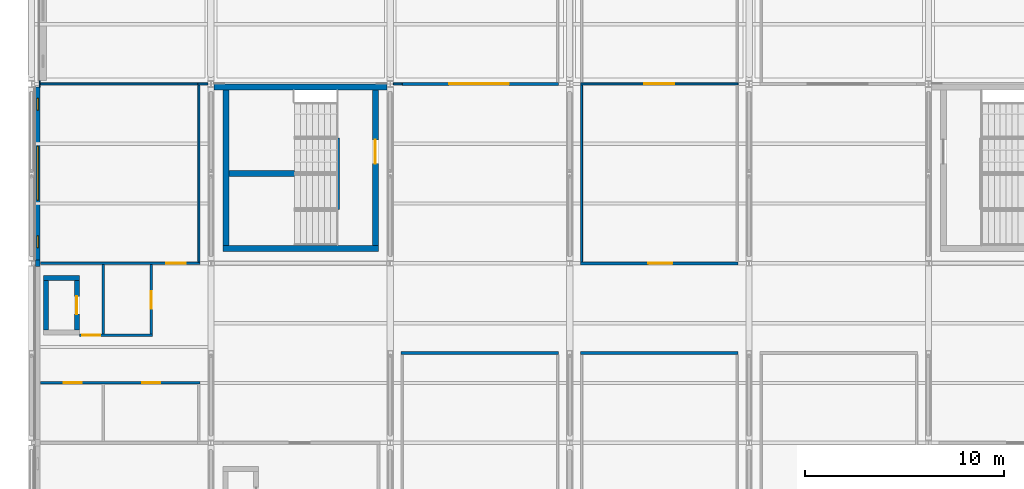
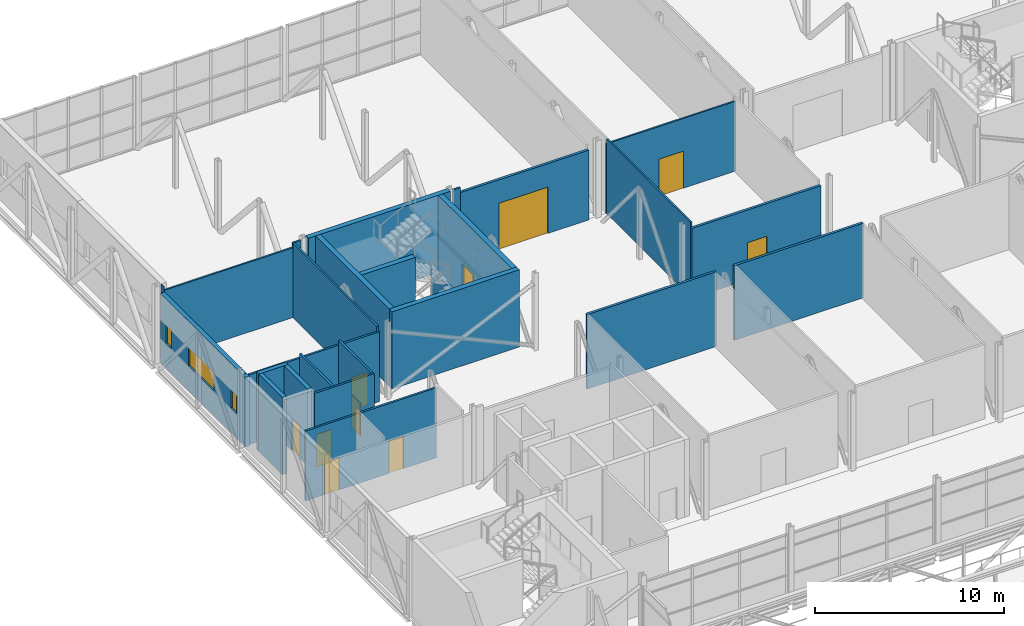
# One storey, part 79 of 94: 27 walls, 10 doors, 3 windows, 13 openings.
"""IFC4 building model written with IfcOpenShell, lengths in metres."""

import ifcopenshell
import ifcopenshell.guid

model = None  # the IFC model being written
_history = None  # IfcOwnerHistory: only IFC2X3 demands one
_inside = {}  # id of a spatial element -> (the spatial element, [elements in it])
_under = {}  # id of a project, library or spatial element -> (it, [spatial elements below it])
_declared = {}  # id of a project -> (the project, [libraries it declares])
_typed = {}  # id of a type object -> (the type object, [elements of that type])
_made_of = {}  # id of a material, layer set ... -> (it, [elements and type objects made of it])


def new_model(schema):
    """Start an empty IFC model of exactly this schema.

    Asked for "IFC4X3", IfcOpenShell would pick the latest addendum, in which some entities
    have other attributes; the version numbers below select the first issue.
    IFC2X3 requires an IfcOwnerHistory on every rooted entity: one is made here for all.
    """
    global model, _history
    if schema == "IFC4X3":
        model = ifcopenshell.file(schema_version=(4, 3, 0, 0))
    else:
        model = ifcopenshell.file(schema=schema)
    _inside.clear()
    _under.clear()
    _declared.clear()
    _typed.clear()
    _made_of.clear()
    _history = None
    if model.schema == "IFC2X3":
        org = make("IfcOrganization", Name="unknown")
        user = make(
            "IfcPersonAndOrganization",
            ThePerson=make("IfcPerson", FamilyName="unknown"),
            TheOrganization=org,
        )
        app = make(
            "IfcApplication",
            ApplicationDeveloper=org,
            Version="unknown",
            ApplicationFullName="unknown",
            ApplicationIdentifier="unknown",
        )
        _history = make(
            "IfcOwnerHistory",
            OwningUser=user,
            OwningApplication=app,
            ChangeAction="ADDED",
            CreationDate=0,
        )
    return model


def make(cls, **values):
    """One entity of the class cls with the attributes given. An attribute that is None is left unset."""
    return model.create_entity(
        cls, **{name: value for name, value in values.items() if value is not None}
    )


def rooted(cls, **values):
    """An entity with a GlobalId (a new one), such as an element, a storey or a relation."""
    return make(cls, GlobalId=ifcopenshell.guid.new(), OwnerHistory=_history, **values)


def si_unit(unit_type, name, prefix=None):
    """IfcSIUnit, for example si_unit("LENGTHUNIT", "METRE", prefix="MILLI")."""
    return make("IfcSIUnit", UnitType=unit_type, Prefix=prefix, Name=name)


def assignment(units):
    """IfcUnitAssignment: the units of a project."""
    return None if units is None else make("IfcUnitAssignment", Units=units)


def point(xyz):
    """IfcCartesianPoint."""
    return None if xyz is None else make("IfcCartesianPoint", Coordinates=xyz)


def direction(xyz):
    """IfcDirection."""
    return None if xyz is None else make("IfcDirection", DirectionRatios=xyz)


def frame(location, z_axis=None, x_axis=None):
    """IfcAxis2Placement3D, a coordinate frame: its origin and axes. An axis left out is left unset."""
    return make(
        "IfcAxis2Placement3D",
        Location=point(location),
        Axis=direction(z_axis),
        RefDirection=direction(x_axis),
    )


def frame_2d(location, x_axis=None):
    """IfcAxis2Placement2D, a coordinate frame in the plane: its origin and x axis."""
    return make(
        "IfcAxis2Placement2D", Location=point(location), RefDirection=direction(x_axis)
    )


def origin():
    """The frame at (0, 0, 0) with its axes left unset."""
    return frame((0.0, 0.0, 0.0))


def place(relative_to, where):
    """IfcLocalPlacement: puts the frame where relative to a parent placement (None: the world)."""
    return make(
        "IfcLocalPlacement", PlacementRelTo=relative_to, RelativePlacement=where
    )


def context(
    kind, dimensions, precision=None, world=None, true_north=None, identifier=None
):
    """IfcGeometricRepresentationContext, for example the 3D "Model" context."""
    return make(
        "IfcGeometricRepresentationContext",
        ContextIdentifier=identifier,
        ContextType=kind,
        CoordinateSpaceDimension=dimensions,
        Precision=precision,
        WorldCoordinateSystem=world,
        TrueNorth=true_north,
    )


def subcontext(parent, identifier, kind, view, scale=None):
    """IfcGeometricRepresentationSubContext, for example "Body" below "Model"."""
    return make(
        "IfcGeometricRepresentationSubContext",
        ContextIdentifier=identifier,
        ContextType=kind,
        ParentContext=parent,
        TargetScale=scale,
        TargetView=view,
    )


def project(units=None, contexts=None):
    """IfcProject with its units and contexts."""
    return rooted(
        "IfcProject",
        Name="project",
        RepresentationContexts=contexts,
        UnitsInContext=assignment(units),
    )


def spatial(cls, under=None, at=None, **own):
    """A site, building, storey or space (cls), placed at a placement, below another one or the project."""
    s = rooted(cls, ObjectPlacement=at, **own)
    if under is not None:
        _under.setdefault(under.id(), (under, []))[1].append(s)
    return s


def profile(cls, at=None, kind="AREA", **sizes):
    """A parametric profile (cls). Its sizes go by their IFC names, for example OverallWidth=200.0."""
    return make(cls, ProfileType=kind, Position=at, **sizes)


def rectangle(**sizes):
    """IfcRectangleProfileDef."""
    return profile("IfcRectangleProfileDef", **sizes)


def extrude(swept, where, along, depth):
    """IfcExtrudedAreaSolid: the profile swept, set in the frame where, extruded along a direction by depth."""
    return make(
        "IfcExtrudedAreaSolid",
        SweptArea=swept,
        Position=where,
        ExtrudedDirection=direction(along),
        Depth=depth,
    )


def shape(context_of_items, identifier, shape_type, items):
    """IfcShapeRepresentation: the items that make up one representation, for example the "Body"."""
    return make(
        "IfcShapeRepresentation",
        ContextOfItems=context_of_items,
        RepresentationIdentifier=identifier,
        RepresentationType=shape_type,
        Items=items,
    )


def material(Name=None, Category=None):
    """IfcMaterial."""
    return make("IfcMaterial", Name=Name, Category=Category)


def layer(
    of_material, thickness, ventilated=None, Name=None, Category=None, Priority=None
):
    """IfcMaterialLayer: one layer of a wall or slab, of a material (None: an air gap)."""
    return make(
        "IfcMaterialLayer",
        Material=of_material,
        LayerThickness=thickness,
        IsVentilated=ventilated,
        Name=Name,
        Category=Category,
        Priority=Priority,
    )


def layer_set(layers, Name=None):
    """IfcMaterialLayerSet."""
    return make("IfcMaterialLayerSet", MaterialLayers=layers, LayerSetName=Name)


def made_of(thing, what):
    """Note that an element or type object is made of a material, layer set ...; save() writes the relation."""
    if what is not None:
        _made_of.setdefault(what.id(), (what, []))[1].append(thing)
    return thing


def type_object(cls, material=None, **own):
    """A type object (cls), such as IfcWallType, which elements share."""
    return made_of(rooted(cls, **own), material)


def element(
    cls,
    number,
    at=None,
    inside=None,
    cuts=None,
    type_object=None,
    material=None,
    context=None,
    identifier="Body",
    shape_type=None,
    held_by="IfcProductDefinitionShape",
    body=None,
    shapes=None,
    **own,
):
    """One element of the class cls, such as IfcWall. Its Tag is "e" and its number.

    at: its placement. inside: the storey or other place that contains it. cuts: it is an
    opening in that element (IfcRelVoidsElement). A single representation is given by context,
    identifier, shape_type and body (its items); several are given by shapes. held_by: the class
    of the entity that holds the representations. save() writes the other relations.
    """
    e = rooted(cls, Tag="e%d" % number, ObjectPlacement=at, **own)
    if body is not None:
        shapes = [shape(context, identifier, shape_type, body)]
    if shapes is not None:
        e.Representation = make(held_by, Representations=shapes)
    if inside is not None:
        _inside.setdefault(inside.id(), (inside, []))[1].append(e)
    if cuts is not None:
        rooted(
            "IfcRelVoidsElement", RelatingBuildingElement=cuts, RelatedOpeningElement=e
        )
    if type_object is not None:
        _typed.setdefault(type_object.id(), (type_object, []))[1].append(e)
    return made_of(e, material)


def fill(opening, filler):
    """IfcRelFillsElement: the door or window that sits in an opening."""
    return rooted(
        "IfcRelFillsElement",
        RelatingOpeningElement=opening,
        RelatedBuildingElement=filler,
    )


def aggregate(whole, parts):
    """IfcRelAggregates: a whole, such as a stair, and the parts it consists of."""
    return rooted("IfcRelAggregates", RelatingObject=whole, RelatedObjects=parts)


def save(model, path):
    """Write the relations noted so far, then the file.

    IfcRelAggregates (storeys below a building ...), IfcRelContainedInSpatialStructure (elements
    in a storey), IfcRelDefinesByType, IfcRelAssociatesMaterial and IfcRelDeclares: one each for
    every whole, place, type object, material and project.
    """
    for whole, parts in _under.values():
        aggregate(whole, parts)
    for where, things in _inside.values():
        rooted(
            "IfcRelContainedInSpatialStructure",
            RelatedElements=things,
            RelatingStructure=where,
        )
    for kind, things in _typed.values():
        rooted("IfcRelDefinesByType", RelatedObjects=things, RelatingType=kind)
    for what, things in _made_of.values():
        rooted("IfcRelAssociatesMaterial", RelatedObjects=things, RelatingMaterial=what)
    for by, libraries in _declared.values():
        rooted("IfcRelDeclares", RelatingContext=by, RelatedDefinitions=libraries)
    model.write(path)


model = new_model("IFC4")

# Units and contexts
model_context = context("Model", 3, precision=1e-05, world=origin(), true_north=direction((0.0, 1.0)))
body_context = subcontext(model_context, "Body", "Model", "MODEL_VIEW")
ifc_project = project(units=[si_unit("LENGTHUNIT", "METRE"), si_unit("AREAUNIT", "SQUARE_METRE"), si_unit("VOLUMEUNIT", "CUBIC_METRE"), si_unit("PLANEANGLEUNIT", "RADIAN"), si_unit("MASSUNIT", "GRAM", prefix="KILO")], contexts=[model_context])

# Site, building, storey
site_placement = place(None, origin())
site = spatial("IfcSite", under=ifc_project, at=site_placement, CompositionType="ELEMENT")
building_placement = place(site_placement, origin())
building = spatial("IfcBuilding", under=site, at=building_placement, Name="Shorebreak Coast Museum", CompositionType="ELEMENT")
storey_placement = place(building_placement, frame((0.0, 0.0, 31.0)))
storey = spatial("IfcBuildingStorey", under=building, at=storey_placement, Name="L05", CompositionType="ELEMENT", Elevation=31.0)

# Walls
ifc_material_1 = material(Name="Concrete N50 (50 MPa)", Category="concrete")
ifc_layer_1 = layer(ifc_material_1, 0.25)
ifc_layer_set_1 = layer_set([ifc_layer_1], Name="Concrete N50 (50 MPa)")
wall_type_1 = type_object("IfcWallType", Name="Column closure panel 250", PredefinedType="SOLIDWALL", material=ifc_layer_set_1)
wall_1_placement = place(storey_placement, frame((54.315185546875, 107.839111328125, 0.0), z_axis=(0.0, 0.0, 1.0), x_axis=(0.0, 1.0, 0.0)))
element("IfcWall", 1, at=wall_1_placement, inside=storey, type_object=wall_type_1, Name="Column closure panel L05 W 7N", PredefinedType="SOLIDWALL", context=body_context, shape_type="SweptSolid", body=[
    extrude(rectangle(XDim=0.32177734375, YDim=0.25, at=frame_2d((0.160888671875, 0.0))), origin(), (0.0, 0.0, 1.0), 4.50439453125),
])
ifc_material_2 = material(Name="Concrete N50 (50 MPa)", Category="concrete")
ifc_layer_2 = layer(ifc_material_2, 0.040283203125)
ifc_layer_set_2 = layer_set([ifc_layer_2], Name="Concrete N50 (50 MPa)")
wall_type_2 = type_object("IfcWallType", Name="Column closure panel 40", PredefinedType="SOLIDWALL", material=ifc_layer_set_2)
wall_2_placement = place(storey_placement, frame((54.420166015625, 116.83642578125, 0.0), z_axis=(0.0, 0.0, 1.0), x_axis=(0.0, 1.0, 0.0)))
element("IfcWall", 2, at=wall_2_placement, inside=storey, type_object=wall_type_2, Name="Column closure panel L05 W 7P", PredefinedType="SOLIDWALL", context=body_context, shape_type="SweptSolid", body=[
    extrude(rectangle(XDim=0.3271484375, YDim=0.040283203125, at=frame_2d((0.16357421875, 0.0))), origin(), (0.0, 0.0, 1.0), 4.824951171875),
])
ifc_material_3 = material(Name="Plasterboard on steel stud", Category="steel")
ifc_layer_3 = layer(ifc_material_3, 0.14990234375)
ifc_layer_set_3 = layer_set([ifc_layer_3], Name="Plasterboard on steel stud")
wall_type_3 = type_object("IfcWallType", Name="Fire partition 150", PredefinedType="PARTITIONING", material=ifc_layer_set_3)
for number, where, z_axis, x_axis, name in (
    (3, (72.550048828125, 103.5, 0.0), (0.0, 0.0, 1.0), (1.0, 0.0, 0.0), "Partition L05-026"),
    (4, (81.550048828125, 103.5, 0.0), (0.0, 0.0, 1.0), (1.0, 0.0, 0.0), "Partition L05-027"),
):
    element("IfcWall", number, at=place(storey_placement, frame(where, z_axis=z_axis, x_axis=x_axis)), inside=storey, type_object=wall_type_3, Name=name, PredefinedType="PARTITIONING", context=body_context, shape_type="SweptSolid", body=[
        extrude(rectangle(XDim=7.89990234375, YDim=0.14990234375, at=frame_2d((3.949951171875, 0.0))), origin(), (0.0, 0.0, 1.0), 4.824951171875),
    ])

# Wall, opening, door
wall_3_placement = place(storey_placement, frame((81.550048828125, 108.0, 0.0), z_axis=(0.0, 0.0, 1.0), x_axis=(1.0, 0.0, 0.0)))
wall_3 = element("IfcWall", 5, at=wall_3_placement, inside=storey, type_object=wall_type_3, Name="Partition L05-032", PredefinedType="PARTITIONING", context=body_context, shape_type="SweptSolid", body=[
    extrude(rectangle(XDim=7.89990234375, YDim=0.14990234375, at=frame_2d((3.949951171875, 0.0))), origin(), (0.0, 0.0, 1.0), 4.517822265625),
])
opening_1_placement = place(wall_3_placement, frame((3.39990234375, 0.0, 0.0)))
opening_1 = element("IfcOpeningElement", 6, at=opening_1_placement, cuts=wall_3, Name="Opening D5023", PredefinedType="OPENING", context=body_context, shape_type="SweptSolid", body=[
    extrude(rectangle(XDim=1.199951171875, YDim=2.39990234375, at=frame_2d((0.60009765625, 1.199951171875))), frame((0.0, 0.0849609375, 0.0), z_axis=(0.0, -1.0, 0.0), x_axis=(1.0, 0.0, 0.0)), (0.0, 0.0, 1.0), 0.169921875),
])
ifc_material_4 = material(Name="Steel", Category="steel")
door_type_1 = type_object("IfcDoorType", Name="Fire door 1200x2400 60", OperationType="SINGLE_SWING_LEFT", PredefinedType="DOOR", material=ifc_material_4)
door_1_placement = place(opening_1_placement, origin())
door_1 = element("IfcDoor", 7, at=door_1_placement, inside=storey, type_object=door_type_1, Name="Door D5023 Photography Gallery 5.01", OperationType="SINGLE_SWING_LEFT", OverallHeight=2.39990234375, OverallWidth=1.199951171875, PredefinedType="DOOR", context=body_context, shape_type="SweptSolid", body=[
    extrude(rectangle(XDim=1.199951171875, YDim=2.39990234375, at=frame_2d((0.60009765625, 1.199951171875))), frame((0.0, 0.02490234375, 0.0), z_axis=(0.0, -1.0, 0.0), x_axis=(1.0, 0.0, 0.0)), (0.0, 0.0, 1.0), 0.050048828125),
])
fill(opening_1, door_1)

wall_4_placement = place(storey_placement, frame((72.60009765625, 117.0, 0.0), z_axis=(0.0, 0.0, 1.0), x_axis=(1.0, 0.0, 0.0)))
wall_4 = element("IfcWall", 8, at=wall_4_placement, inside=storey, type_object=wall_type_3, Name="Partition L05-037", PredefinedType="PARTITIONING", context=body_context, shape_type="SweptSolid", body=[
    extrude(rectangle(XDim=7.849853515625, YDim=0.14990234375, at=frame_2d((3.9248046875, 0.0))), origin(), (0.0, 0.0, 1.0), 4.517822265625),
])
opening_2_placement = place(wall_4_placement, frame((2.35009765625, 0.0, 0.0)))
opening_2 = element("IfcOpeningElement", 9, at=opening_2_placement, cuts=wall_4, Name="Opening D5024", PredefinedType="OPENING", context=body_context, shape_type="SweptSolid", body=[
    extrude(rectangle(XDim=3.0, YDim=3.0, at=frame_2d((1.5, 1.5))), frame((0.0, 0.0849609375, 0.0), z_axis=(0.0, -1.0, 0.0), x_axis=(1.0, 0.0, 0.0)), (0.0, 0.0, 1.0), 0.169921875),
])
ifc_material_5 = material(Name="Steel", Category="steel")
door_type_2 = type_object("IfcDoorType", Name="Fire door 3000x3000 60", OperationType="DOUBLE_DOOR_SINGLE_SWING", PredefinedType="DOOR", material=ifc_material_5)
door_2_placement = place(opening_2_placement, origin())
door_2 = element("IfcDoor", 10, at=door_2_placement, inside=storey, type_object=door_type_2, Name="Door D5024 Surf Craft Gallery 5.02", OperationType="DOUBLE_DOOR_SINGLE_SWING", OverallHeight=3.0, OverallWidth=3.0, PredefinedType="DOOR", context=body_context, shape_type="SweptSolid", body=[
    extrude(rectangle(XDim=3.0, YDim=3.0, at=frame_2d((1.5, 1.5))), frame((0.0, 0.02490234375, 0.0), z_axis=(0.0, -1.0, 0.0), x_axis=(1.0, 0.0, 0.0)), (0.0, 0.0, 1.0), 0.050048828125),
])
fill(opening_2, door_2)

# Walls
ifc_material_6 = material(Name="Plasterboard on steel stud", Category="steel")
ifc_layer_4 = layer(ifc_material_6, 0.10009765625)
ifc_layer_set_4 = layer_set([ifc_layer_4], Name="Plasterboard on steel stud")
wall_type_4 = type_object("IfcWallType", Name="Partition 100", PredefinedType="PARTITIONING", material=ifc_layer_set_4)
wall_5_placement = place(storey_placement, frame((54.46533203125, 117.0, 0.0), z_axis=(0.0, 0.0, 1.0), x_axis=(1.0, 0.0, 0.0)))
element("IfcWall", 11, at=wall_5_placement, inside=storey, type_object=wall_type_4, Name="Partition L05-034", PredefinedType="PARTITIONING", context=body_context, shape_type="SweptSolid", body=[
    extrude(rectangle(XDim=7.984619140625, YDim=0.10009765625, at=frame_2d((3.9921875, 0.0))), origin(), (0.0, 0.0, 1.0), 4.517822265625),
])
wall_6_placement = place(storey_placement, frame((62.3505859375, 117.0, 0.0), z_axis=(0.0, 0.0, 1.0), x_axis=(1.0, 0.0, 0.0)))
element("IfcWall", 12, at=wall_6_placement, inside=storey, type_object=wall_type_4, Name="Partition L05-035", PredefinedType="PARTITIONING", context=body_context, shape_type="SweptSolid", body=[
    extrude(rectangle(XDim=0.493896484375, YDim=0.10009765625, at=frame_2d((0.2470703125, 0.0))), origin(), (0.0, 0.0, 1.0), 4.824951171875),
])
wall_7_placement = place(storey_placement, frame((72.155517578125, 117.0, 0.0), z_axis=(0.0, 0.0, 1.0), x_axis=(1.0, 0.0, 0.0)))
element("IfcWall", 13, at=wall_7_placement, inside=storey, type_object=wall_type_4, Name="Partition L05-036", PredefinedType="PARTITIONING", context=body_context, shape_type="SweptSolid", body=[
    extrude(rectangle(XDim=0.444091796875, YDim=0.10009765625, at=frame_2d((0.22216796875, 0.0))), origin(), (0.0, 0.0, 1.0), 4.824951171875),
])

# Wall, opening, door
wall_8_placement = place(storey_placement, frame((81.550048828125, 117.0, 0.0), z_axis=(0.0, 0.0, 1.0), x_axis=(1.0, 0.0, 0.0)))
wall_8 = element("IfcWall", 14, at=wall_8_placement, inside=storey, type_object=wall_type_4, Name="Partition L05-038", PredefinedType="PARTITIONING", context=body_context, shape_type="SweptSolid", body=[
    extrude(rectangle(XDim=7.89990234375, YDim=0.10009765625, at=frame_2d((3.949951171875, 0.0))), origin(), (0.0, 0.0, 1.0), 4.517822265625),
])
opening_3_placement = place(wall_8_placement, frame((3.199951171875, 0.0, 0.0)))
opening_3 = element("IfcOpeningElement", 15, at=opening_3_placement, cuts=wall_8, Name="Opening D5025", PredefinedType="OPENING", context=body_context, shape_type="SweptSolid", body=[
    extrude(rectangle(XDim=1.5, YDim=2.39990234375, at=frame_2d((0.75, 1.199951171875))), frame((0.0, 0.06005859375, 0.0), z_axis=(0.0, -1.0, 0.0), x_axis=(1.0, 0.0, 0.0)), (0.0, 0.0, 1.0), 0.1201171875),
])
ifc_material_7 = material(Name="Timber", Category="wood")
door_type_3 = type_object("IfcDoorType", Name="Interior door 1500x2400", OperationType="DOUBLE_DOOR_SINGLE_SWING", PredefinedType="DOOR", material=ifc_material_7)
door_3_placement = place(opening_3_placement, origin())
door_3 = element("IfcDoor", 16, at=door_3_placement, inside=storey, type_object=door_type_3, Name="Door D5025 Photography Gallery 5.02", OperationType="DOUBLE_DOOR_SINGLE_SWING", OverallHeight=2.39990234375, OverallWidth=1.5, PredefinedType="DOOR", context=body_context, shape_type="SweptSolid", body=[
    extrude(rectangle(XDim=1.5, YDim=2.39990234375, at=frame_2d((0.75, 1.199951171875))), frame((0.0, 0.02490234375, 0.0), z_axis=(0.0, -1.0, 0.0), x_axis=(1.0, 0.0, 0.0)), (0.0, 0.0, 1.0), 0.050048828125),
])
fill(opening_3, door_3)

# Walls
wall_9_placement = place(storey_placement, frame((62.39990234375, 108.0625, 0.0), z_axis=(0.0, 0.0, 1.0), x_axis=(0.0, 1.0, 0.0)))
element("IfcWall", 17, at=wall_9_placement, inside=storey, type_object=wall_type_4, Name="Partition L05-053", PredefinedType="PARTITIONING", context=body_context, shape_type="SweptSolid", body=[
    extrude(rectangle(XDim=8.887451171875, YDim=0.10009765625, at=frame_2d((4.44384765625, 0.0))), origin(), (0.0, 0.0, 1.0), 4.824951171875),
])
wall_10_placement = place(storey_placement, frame((81.60009765625, 108.074951171875, 0.0), z_axis=(0.0, 0.0, 1.0), x_axis=(0.0, 1.0, 0.0)))
element("IfcWall", 18, at=wall_10_placement, inside=storey, type_object=wall_type_4, Name="Partition L05-061", PredefinedType="PARTITIONING", context=body_context, shape_type="SweptSolid", body=[
    extrude(rectangle(XDim=8.875, YDim=0.10009765625, at=frame_2d((4.4375, 0.0))), origin(), (0.0, 0.0, 1.0), 4.824951171875),
])

# Wall, openings, doors
ifc_material_8 = material(Name="Plasterboard on steel stud", Category="steel")
ifc_layer_5 = layer(ifc_material_8, 0.125)
ifc_layer_set_5 = layer_set([ifc_layer_5], Name="Plasterboard on steel stud")
wall_type_5 = type_object("IfcWallType", Name="Partition 125", PredefinedType="PARTITIONING", material=ifc_layer_set_5)
wall_11_placement = place(storey_placement, frame((54.46533203125, 102.0, 0.0), z_axis=(0.0, 0.0, 1.0), x_axis=(1.0, 0.0, 0.0)))
wall_11 = element("IfcWall", 19, at=wall_11_placement, inside=storey, type_object=wall_type_5, Name="Partition L05-024", PredefinedType="PARTITIONING", context=body_context, shape_type="SweptSolid", body=[
    extrude(rectangle(XDim=7.9970703125, YDim=0.125, at=frame_2d((3.99853515625, 0.0))), origin(), (0.0, 0.0, 1.0), 4.52099609375),
])
opening_4_placement = place(wall_11_placement, frame((1.14990234375, 0.0, 0.0)))
opening_4 = element("IfcOpeningElement", 20, at=opening_4_placement, cuts=wall_11, Name="Opening D5012", PredefinedType="OPENING", context=body_context, shape_type="SweptSolid", body=[
    extrude(rectangle(XDim=0.89990234375, YDim=2.10009765625, at=frame_2d((0.449951171875, 1.050048828125))), frame((0.0, 0.072509765625, 0.0), z_axis=(0.0, -1.0, 0.0), x_axis=(1.0, 0.0, 0.0)), (0.0, 0.0, 1.0), 0.14501953125),
])
opening_5_placement = place(wall_11_placement, frame((5.084716796875, 0.0, 0.0)))
opening_5 = element("IfcOpeningElement", 21, at=opening_5_placement, cuts=wall_11, Name="Opening D5013", PredefinedType="OPENING", context=body_context, shape_type="SweptSolid", body=[
    extrude(rectangle(XDim=0.89990234375, YDim=2.10009765625, at=frame_2d((0.449951171875, 1.050048828125))), frame((0.0, 0.072509765625, 0.0), z_axis=(0.0, -1.0, 0.0), x_axis=(1.0, 0.0, 0.0)), (0.0, 0.0, 1.0), 0.14501953125),
])
ifc_material_9 = material(Name="Timber", Category="wood")
door_type_4 = type_object("IfcDoorType", Name="Interior door 900x2100", OperationType="SINGLE_SWING_LEFT", PredefinedType="DOOR", material=ifc_material_9)
door_4_placement = place(opening_4_placement, origin())
door_4 = element("IfcDoor", 22, at=door_4_placement, inside=storey, type_object=door_type_4, Name="Door D5012 Accessible WC N1", OperationType="SINGLE_SWING_RIGHT", OverallHeight=2.10009765625, OverallWidth=0.89990234375, PredefinedType="DOOR", context=body_context, shape_type="SweptSolid", body=[
    extrude(rectangle(XDim=0.89990234375, YDim=2.10009765625, at=frame_2d((0.449951171875, 1.050048828125))), frame((0.0, 0.02490234375, 0.0), z_axis=(0.0, -1.0, 0.0), x_axis=(1.0, 0.0, 0.0)), (0.0, 0.0, 1.0), 0.050048828125),
])
fill(opening_4, door_4)
door_5_placement = place(opening_5_placement, origin())
door_5 = element("IfcDoor", 23, at=door_5_placement, inside=storey, type_object=door_type_4, Name="Door D5013 Male WC N1", OperationType="SINGLE_SWING_RIGHT", OverallHeight=2.10009765625, OverallWidth=0.89990234375, PredefinedType="DOOR", context=body_context, shape_type="SweptSolid", body=[
    extrude(rectangle(XDim=0.89990234375, YDim=2.10009765625, at=frame_2d((0.449951171875, 1.050048828125))), frame((0.0, 0.02490234375, 0.0), z_axis=(0.0, -1.0, 0.0), x_axis=(1.0, 0.0, 0.0)), (0.0, 0.0, 1.0), 0.050048828125),
])
fill(opening_5, door_5)

# Wall, opening, door
wall_12_placement = place(storey_placement, frame((56.39990234375, 104.39990234375, 0.0), z_axis=(0.0, 0.0, 1.0), x_axis=(1.0, 0.0, 0.0)))
wall_12 = element("IfcWall", 24, at=wall_12_placement, inside=storey, type_object=wall_type_5, Name="Partition L05-029", PredefinedType="PARTITIONING", context=body_context, shape_type="SweptSolid", body=[
    extrude(rectangle(XDim=3.66259765625, YDim=0.125, at=frame_2d((1.831298828125, 0.0))), origin(), (0.0, 0.0, 1.0), 4.824951171875),
])
opening_6_placement = place(wall_12_placement, frame((0.14990234375, 0.0, 0.0)))
opening_6 = element("IfcOpeningElement", 25, at=opening_6_placement, cuts=wall_12, Name="Opening D5010", PredefinedType="OPENING", context=body_context, shape_type="SweptSolid", body=[
    extrude(rectangle(XDim=0.89990234375, YDim=2.10009765625, at=frame_2d((0.449951171875, 1.050048828125))), frame((0.0, 0.072509765625, 0.0), z_axis=(0.0, -1.0, 0.0), x_axis=(1.0, 0.0, 0.0)), (0.0, 0.0, 1.0), 0.14501953125),
])
door_6_placement = place(opening_6_placement, origin())
door_6 = element("IfcDoor", 26, at=door_6_placement, inside=storey, type_object=door_type_4, Name="Door D5010 Cleaner Store N1", OperationType="SINGLE_SWING_LEFT", OverallHeight=2.10009765625, OverallWidth=0.89990234375, PredefinedType="DOOR", context=body_context, shape_type="SweptSolid", body=[
    extrude(rectangle(XDim=0.89990234375, YDim=2.10009765625, at=frame_2d((0.449951171875, 1.050048828125))), frame((0.0, 0.02490234375, 0.0), z_axis=(0.0, -1.0, 0.0), x_axis=(1.0, 0.0, 0.0)), (0.0, 0.0, 1.0), 0.050048828125),
])
fill(opening_6, door_6)

wall_13_placement = place(storey_placement, frame((54.46533203125, 108.0, 0.0), z_axis=(0.0, 0.0, 1.0), x_axis=(1.0, 0.0, 0.0)))
wall_13 = element("IfcWall", 27, at=wall_13_placement, inside=storey, type_object=wall_type_5, Name="Partition L05-031", PredefinedType="PARTITIONING", context=body_context, shape_type="SweptSolid", body=[
    extrude(rectangle(XDim=7.984619140625, YDim=0.125, at=frame_2d((3.9921875, 0.0))), origin(), (0.0, 0.0, 1.0), 4.517822265625),
])
opening_7_placement = place(wall_13_placement, frame((6.28466796875, 0.0, 0.0)))
opening_7 = element("IfcOpeningElement", 28, at=opening_7_placement, cuts=wall_13, Name="Opening D5018", PredefinedType="OPENING", context=body_context, shape_type="SweptSolid", body=[
    extrude(rectangle(XDim=1.0, YDim=2.10009765625, at=frame_2d((0.5, 1.050048828125))), frame((0.0, 0.072509765625, 0.0), z_axis=(0.0, -1.0, 0.0), x_axis=(1.0, 0.0, 0.0)), (0.0, 0.0, 1.0), 0.14501953125),
])
ifc_material_10 = material(Name="Timber", Category="wood")
door_type_5 = type_object("IfcDoorType", Name="Interior door 1000x2100", OperationType="SINGLE_SWING_LEFT", PredefinedType="DOOR", material=ifc_material_10)
door_7_placement = place(opening_7_placement, origin())
door_7 = element("IfcDoor", 29, at=door_7_placement, inside=storey, type_object=door_type_5, Name="Door D5018 Services Store 5.01", OperationType="SINGLE_SWING_LEFT", OverallHeight=2.10009765625, OverallWidth=1.0, PredefinedType="DOOR", context=body_context, shape_type="SweptSolid", body=[
    extrude(rectangle(XDim=1.0, YDim=2.10009765625, at=frame_2d((0.5, 1.050048828125))), frame((0.0, 0.02490234375, 0.0), z_axis=(0.0, -1.0, 0.0), x_axis=(1.0, 0.0, 0.0)), (0.0, 0.0, 1.0), 0.050048828125),
])
fill(opening_7, door_7)

# Wall
wall_14_placement = place(storey_placement, frame((57.60009765625, 104.46240234375, 0.0), z_axis=(0.0, 0.0, 1.0), x_axis=(0.0, 1.0, 0.0)))
element("IfcWall", 30, at=wall_14_placement, inside=storey, type_object=wall_type_5, Name="Partition L05-046", PredefinedType="PARTITIONING", context=body_context, shape_type="SweptSolid", body=[
    extrude(rectangle(XDim=3.47509765625, YDim=0.125, at=frame_2d((1.737548828125, 0.0))), origin(), (0.0, 0.0, 1.0), 4.824951171875),
])

# Wall, opening, door
wall_15_placement = place(storey_placement, frame((60.0, 104.46240234375, 0.0), z_axis=(0.0, 0.0, 1.0), x_axis=(0.0, 1.0, 0.0)))
wall_15 = element("IfcWall", 31, at=wall_15_placement, inside=storey, type_object=wall_type_5, Name="Partition L05-050", PredefinedType="PARTITIONING", context=body_context, shape_type="SweptSolid", body=[
    extrude(rectangle(XDim=3.47509765625, YDim=0.125, at=frame_2d((1.737548828125, 0.0))), origin(), (0.0, 0.0, 1.0), 4.824951171875),
])
opening_8_placement = place(wall_15_placement, frame((1.25, 0.0, 0.0)))
opening_8 = element("IfcOpeningElement", 32, at=opening_8_placement, cuts=wall_15, Name="Opening D5011", PredefinedType="OPENING", context=body_context, shape_type="SweptSolid", body=[
    extrude(rectangle(XDim=0.89990234375, YDim=2.10009765625, at=frame_2d((0.449951171875, 1.050048828125))), frame((0.0, 0.072509765625, 0.0), z_axis=(0.0, -1.0, 0.0), x_axis=(1.0, 0.0, 0.0)), (0.0, 0.0, 1.0), 0.14501953125),
])
door_8_placement = place(opening_8_placement, origin())
door_8 = element("IfcDoor", 33, at=door_8_placement, inside=storey, type_object=door_type_4, Name="Door D5011 Female WC N1", OperationType="SINGLE_SWING_RIGHT", OverallHeight=2.10009765625, OverallWidth=0.89990234375, PredefinedType="DOOR", context=body_context, shape_type="SweptSolid", body=[
    extrude(rectangle(XDim=0.89990234375, YDim=2.10009765625, at=frame_2d((0.449951171875, 1.050048828125))), frame((0.0, 0.02490234375, 0.0), z_axis=(0.0, -1.0, 0.0), x_axis=(1.0, 0.0, 0.0)), (0.0, 0.0, 1.0), 0.050048828125),
])
fill(opening_8, door_8)

# Wall, openings, windows
ifc_material_11 = material(Name="Concrete N50 (50 MPa)", Category="concrete")
ifc_layer_6 = layer(ifc_material_11, 0.25)
ifc_layer_set_6 = layer_set([ifc_layer_6], Name="Concrete N50 (50 MPa)")
wall_type_6 = type_object("IfcWallType", Name="Precast upper panel 250", PredefinedType="SOLIDWALL", material=ifc_layer_set_6)
wall_16_placement = place(storey_placement, frame((54.315185546875, 108.160888671875, 0.0), z_axis=(0.0, 0.0, 1.0), x_axis=(0.0, 1.0, 0.0)))
wall_16 = element("IfcWall", 34, at=wall_16_placement, inside=storey, type_object=wall_type_6, Name="External wall L05 W 7N", PredefinedType="SOLIDWALL", context=body_context, shape_type="SweptSolid", body=[
    extrude(rectangle(XDim=8.675537109375, YDim=0.25, at=frame_2d((4.337890625, 0.0))), origin(), (0.0, 0.0, 1.0), 4.50439453125),
])
opening_9_placement = place(wall_16_placement, frame((0.623046875, 0.0, 1.60009765625)))
opening_9 = element("IfcOpeningElement", 35, at=opening_9_placement, cuts=wall_16, Name="Opening WN5004", PredefinedType="OPENING", context=body_context, shape_type="SweptSolid", body=[
    extrude(rectangle(XDim=0.60009765625, YDim=1.199951171875, at=frame_2d((0.300048828125, 0.60009765625))), frame((0.0, 0.135009765625, 0.0), z_axis=(0.0, -1.0, 0.0), x_axis=(1.0, 0.0, 0.0)), (0.0, 0.0, 1.0), 0.27001953125),
])
opening_10_placement = place(wall_16_placement, frame((3.01708984375, 0.0, 1.60009765625)))
opening_10 = element("IfcOpeningElement", 36, at=opening_10_placement, cuts=wall_16, Name="Opening WN5015", PredefinedType="OPENING", context=body_context, shape_type="SweptSolid", body=[
    extrude(rectangle(XDim=2.699951171875, YDim=1.199951171875, at=frame_2d((1.35009765625, 0.60009765625))), frame((0.0, 0.135009765625, 0.0), z_axis=(0.0, -1.0, 0.0), x_axis=(1.0, 0.0, 0.0)), (0.0, 0.0, 1.0), 0.27001953125),
])
opening_11_placement = place(wall_16_placement, frame((7.523193359375, 0.0, 1.60009765625)))
opening_11 = element("IfcOpeningElement", 37, at=opening_11_placement, cuts=wall_16, Name="Opening WN5016", PredefinedType="OPENING", context=body_context, shape_type="SweptSolid", body=[
    extrude(rectangle(XDim=0.60009765625, YDim=1.199951171875, at=frame_2d((0.300048828125, 0.60009765625))), frame((0.0, 0.135009765625, 0.0), z_axis=(0.0, -1.0, 0.0), x_axis=(1.0, 0.0, 0.0)), (0.0, 0.0, 1.0), 0.27001953125),
])
ifc_material_12 = material(Name="Aluminium", Category="aluminium")
window_type_1 = type_object("IfcWindowType", Name="Truss-bay window 2700 x 1200", PartitioningType="SINGLE_PANEL", PredefinedType="WINDOW", material=ifc_material_12)
window_1_placement = place(opening_10_placement, origin())
window_1 = element("IfcWindow", 38, at=window_1_placement, inside=storey, type_object=window_type_1, Name="Window WN5015", OverallHeight=1.199951171875, OverallWidth=2.699951171875, PartitioningType="SINGLE_PANEL", PredefinedType="WINDOW", context=body_context, shape_type="SweptSolid", body=[
    extrude(rectangle(XDim=2.699951171875, YDim=1.199951171875, at=frame_2d((1.35009765625, 0.60009765625))), frame((0.0, 0.030029296875, 0.0), z_axis=(0.0, -1.0, 0.0), x_axis=(1.0, 0.0, 0.0)), (0.0, 0.0, 1.0), 0.06005859375),
])
fill(opening_10, window_1)
ifc_material_13 = material(Name="Aluminium", Category="aluminium")
window_type_2 = type_object("IfcWindowType", Name="Truss-bay window 600 x 1200", PartitioningType="SINGLE_PANEL", PredefinedType="WINDOW", material=ifc_material_13)
window_2_placement = place(opening_9_placement, origin())
window_2 = element("IfcWindow", 39, at=window_2_placement, inside=storey, type_object=window_type_2, Name="Window WN5004", OverallHeight=1.199951171875, OverallWidth=0.60009765625, PartitioningType="SINGLE_PANEL", PredefinedType="WINDOW", context=body_context, shape_type="SweptSolid", body=[
    extrude(rectangle(XDim=0.60009765625, YDim=1.199951171875, at=frame_2d((0.300048828125, 0.60009765625))), frame((0.0, 0.030029296875, 0.0), z_axis=(0.0, -1.0, 0.0), x_axis=(1.0, 0.0, 0.0)), (0.0, 0.0, 1.0), 0.06005859375),
])
fill(opening_9, window_2)
window_3_placement = place(opening_11_placement, origin())
window_3 = element("IfcWindow", 40, at=window_3_placement, inside=storey, type_object=window_type_2, Name="Window WN5016", OverallHeight=1.199951171875, OverallWidth=0.60009765625, PartitioningType="SINGLE_PANEL", PredefinedType="WINDOW", context=body_context, shape_type="SweptSolid", body=[
    extrude(rectangle(XDim=0.60009765625, YDim=1.199951171875, at=frame_2d((0.300048828125, 0.60009765625))), frame((0.0, 0.030029296875, 0.0), z_axis=(0.0, -1.0, 0.0), x_axis=(1.0, 0.0, 0.0)), (0.0, 0.0, 1.0), 0.06005859375),
])
fill(opening_11, window_3)

# Walls
ifc_material_14 = material(Name="Concrete N50 (50 MPa)", Category="concrete")
ifc_layer_7 = layer(ifc_material_14, 0.25)
ifc_layer_set_7 = layer_set([ifc_layer_7], Name="Concrete N50 (50 MPa)")
wall_type_7 = type_object("IfcWallType", Name="RC riser wall 250", PredefinedType="STANDARD", material=ifc_layer_set_7)
wall_17_placement = place(storey_placement, frame((54.60009765625, 107.27490234375, 0.0), z_axis=(0.0, 0.0, 1.0), x_axis=(1.0, 0.0, 0.0)))
element("IfcWall", 41, at=wall_17_placement, inside=storey, type_object=wall_type_7, Name="Riser wall R-WC-N1 L05 N", PredefinedType="STANDARD", context=body_context, shape_type="SweptSolid", body=[
    extrude(rectangle(XDim=1.7998046875, YDim=0.25, at=frame_2d((0.89990234375, 0.0))), origin(), (0.0, 0.0, 1.0), 5.0),
])
wall_18_placement = place(storey_placement, frame((54.72509765625, 104.64990234375, 0.0), z_axis=(0.0, 0.0, 1.0), x_axis=(0.0, 1.0, 0.0)))
element("IfcWall", 42, at=wall_18_placement, inside=storey, type_object=wall_type_7, Name="Riser wall R-WC-N1 L05 W", PredefinedType="STANDARD", context=body_context, shape_type="SweptSolid", body=[
    extrude(rectangle(XDim=2.5, YDim=0.25, at=frame_2d((1.25, 0.0))), origin(), (0.0, 0.0, 1.0), 5.0),
])

# Wall, opening, door
wall_19_placement = place(storey_placement, frame((56.27490234375, 104.64990234375, 0.0), z_axis=(0.0, 0.0, 1.0), x_axis=(0.0, 1.0, 0.0)))
wall_19 = element("IfcWall", 43, at=wall_19_placement, inside=storey, type_object=wall_type_7, Name="Riser wall R-WC-N1 L05 E", PredefinedType="STANDARD", context=body_context, shape_type="SweptSolid", body=[
    extrude(rectangle(XDim=2.5, YDim=0.25, at=frame_2d((1.25, 0.0))), origin(), (0.0, 0.0, 1.0), 5.0),
])
opening_12_placement = place(wall_19_placement, frame((0.800048828125, 0.0, 0.0)))
opening_12 = element("IfcOpeningElement", 44, at=opening_12_placement, cuts=wall_19, Name="Opening D5601", PredefinedType="OPENING", context=body_context, shape_type="SweptSolid", body=[
    extrude(rectangle(XDim=0.89990234375, YDim=2.10009765625, at=frame_2d((0.449951171875, 1.050048828125))), frame((0.0, 0.135009765625, 0.0), z_axis=(0.0, -1.0, 0.0), x_axis=(1.0, 0.0, 0.0)), (0.0, 0.0, 1.0), 0.27001953125),
])
ifc_material_15 = material(Name="Steel Grade 300", Category="steel")
door_type_6 = type_object("IfcDoorType", Name="Riser door 900x2100", OperationType="SINGLE_SWING_LEFT", PredefinedType="DOOR", material=ifc_material_15)
door_9_placement = place(opening_12_placement, origin())
door_9 = element("IfcDoor", 45, at=door_9_placement, inside=storey, type_object=door_type_6, Name="Riser door R-WC-N1 L05", OperationType="SINGLE_SWING_LEFT", OverallHeight=2.10009765625, OverallWidth=0.89990234375, PredefinedType="DOOR", context=body_context, shape_type="SweptSolid", body=[
    extrude(rectangle(XDim=0.89990234375, YDim=2.10009765625, at=frame_2d((0.449951171875, 1.050048828125))), frame((0.0, 0.02490234375, 0.0), z_axis=(0.0, -1.0, 0.0), x_axis=(1.0, 0.0, 0.0)), (0.0, 0.0, 1.0), 0.050048828125),
])
fill(opening_12, door_9)

# Walls
ifc_material_16 = material(Name="Concrete N50 (50 MPa)", Category="concrete")
ifc_layer_8 = layer(ifc_material_16, 0.300048828125)
ifc_layer_set_8 = layer_set([ifc_layer_8], Name="Concrete N50 (50 MPa)")
wall_type_8 = type_object("IfcWallType", Name="RC wall 300", PredefinedType="SHEAR", material=ifc_layer_set_8)
wall_20_placement = place(storey_placement, frame((63.60009765625, 108.75, 0.0), z_axis=(0.0, 0.0, 1.0), x_axis=(1.0, 0.0, 0.0)))
element("IfcWall", 46, at=wall_20_placement, inside=storey, type_object=wall_type_8, Name="Stair core wall ST09 L05 S", PredefinedType="SHEAR", context=body_context, shape_type="SweptSolid", body=[
    extrude(rectangle(XDim=7.7998046875, YDim=0.300048828125, at=frame_2d((3.89990234375, 0.0))), origin(), (0.0, 0.0, 1.0), 5.0),
])
wall_21_placement = place(storey_placement, frame((63.155517578125, 116.85009765625, 0.0), z_axis=(0.0, 0.0, 1.0), x_axis=(1.0, 0.0, 0.0)))
element("IfcWall", 47, at=wall_21_placement, inside=storey, type_object=wall_type_8, Name="Stair core wall ST09 L05 N", PredefinedType="SHEAR", context=body_context, shape_type="SweptSolid", body=[
    extrude(rectangle(XDim=8.68896484375, YDim=0.300048828125, at=frame_2d((4.344482421875, 0.0))), origin(), (0.0, 0.0, 1.0), 5.0),
])
wall_22_placement = place(storey_placement, frame((63.75, 108.89990234375, 0.0), z_axis=(0.0, 0.0, 1.0), x_axis=(0.0, 1.0, 0.0)))
element("IfcWall", 48, at=wall_22_placement, inside=storey, type_object=wall_type_8, Name="Stair core wall ST09 L05 W", PredefinedType="SHEAR", context=body_context, shape_type="SweptSolid", body=[
    extrude(rectangle(XDim=7.800048828125, YDim=0.300048828125, at=frame_2d((3.89990234375, 0.0))), origin(), (0.0, 0.0, 1.0), 5.0),
])

# Wall, opening, door
wall_23_placement = place(storey_placement, frame((71.25, 108.89990234375, 0.0), z_axis=(0.0, 0.0, 1.0), x_axis=(0.0, 1.0, 0.0)))
wall_23 = element("IfcWall", 49, at=wall_23_placement, inside=storey, type_object=wall_type_8, Name="Stair core wall ST09 L05 E", PredefinedType="SHEAR", context=body_context, shape_type="SweptSolid", body=[
    extrude(rectangle(XDim=7.800048828125, YDim=0.300048828125, at=frame_2d((3.89990234375, 0.0))), origin(), (0.0, 0.0, 1.0), 5.0),
])
opening_13_placement = place(wall_23_placement, frame((4.10009765625, 0.0, 0.0)))
opening_13 = element("IfcOpeningElement", 50, at=opening_13_placement, cuts=wall_23, Name="Opening D5809", PredefinedType="OPENING", context=body_context, shape_type="SweptSolid", body=[
    extrude(rectangle(XDim=1.199951171875, YDim=2.10009765625, at=frame_2d((0.60009765625, 1.050048828125))), frame((0.0, 0.159912109375, 0.0), z_axis=(0.0, -1.0, 0.0), x_axis=(1.0, 0.0, 0.0)), (0.0, 0.0, 1.0), 0.320068359375),
])
ifc_material_17 = material(Name="Steel Grade 300", Category="steel")
door_type_7 = type_object("IfcDoorType", Name="Fire door 1200x2100", OperationType="SINGLE_SWING_LEFT", PredefinedType="DOOR", material=ifc_material_17)
door_10_placement = place(opening_13_placement, origin())
door_10 = element("IfcDoor", 51, at=door_10_placement, inside=storey, type_object=door_type_7, Name="Stair door ST09 L05", OperationType="SINGLE_SWING_LEFT", OverallHeight=2.10009765625, OverallWidth=1.199951171875, PredefinedType="DOOR", context=body_context, shape_type="SweptSolid", body=[
    extrude(rectangle(XDim=1.199951171875, YDim=2.10009765625, at=frame_2d((0.60009765625, 1.050048828125))), frame((0.0, 0.02490234375, 0.0), z_axis=(0.0, -1.0, 0.0), x_axis=(1.0, 0.0, 0.0)), (0.0, 0.0, 1.0), 0.050048828125),
])
fill(opening_13, door_10)

# Walls
wall_24_placement = place(storey_placement, frame((67.199951171875, 112.5, 0.0), z_axis=(0.0, 0.0, 1.0), x_axis=(-1.0, 0.0, 0.0)))
element("IfcWall", 52, at=wall_24_placement, inside=storey, type_object=wall_type_8, Name="Stair spine wall ST09 L05", PredefinedType="SHEAR", context=body_context, shape_type="SweptSolid", body=[
    extrude(rectangle(XDim=3.300048828125, YDim=0.300048828125, at=frame_2d((1.64990234375, 0.0))), origin(), (0.0, 0.0, 1.0), 5.0),
])
ifc_material_18 = material(Name="Concrete N50 (50 MPa)", Category="concrete")
ifc_layer_9 = layer(ifc_material_18, 0.14990234375)
ifc_layer_set_9 = layer_set([ifc_layer_9], Name="Concrete N50 (50 MPa)")
wall_type_9 = type_object("IfcWallType", Name="Understair wall 150", PredefinedType="STANDARD", material=ifc_layer_set_9)
wall_25_placement = place(storey_placement, frame((69.375, 110.699951171875, 0.0), z_axis=(0.0, 0.0, 1.0), x_axis=(0.0, 1.0, 0.0)))
element("IfcWall", 53, at=wall_25_placement, inside=storey, type_object=wall_type_9, Name="Understair wall ST09 L05 floor", PredefinedType="STANDARD", context=body_context, shape_type="SweptSolid", body=[
    extrude(rectangle(XDim=3.60009765625, YDim=0.14990234375, at=frame_2d((1.800048828125, 0.0))), origin(), (0.0, 0.0, 1.0), 2.300048828125),
])

save(model, "model.ifc")
